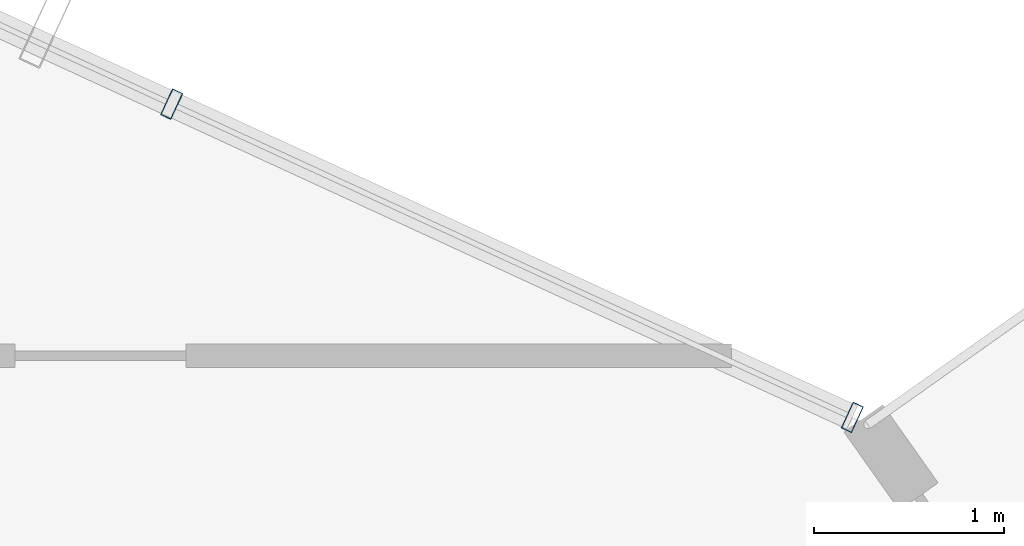
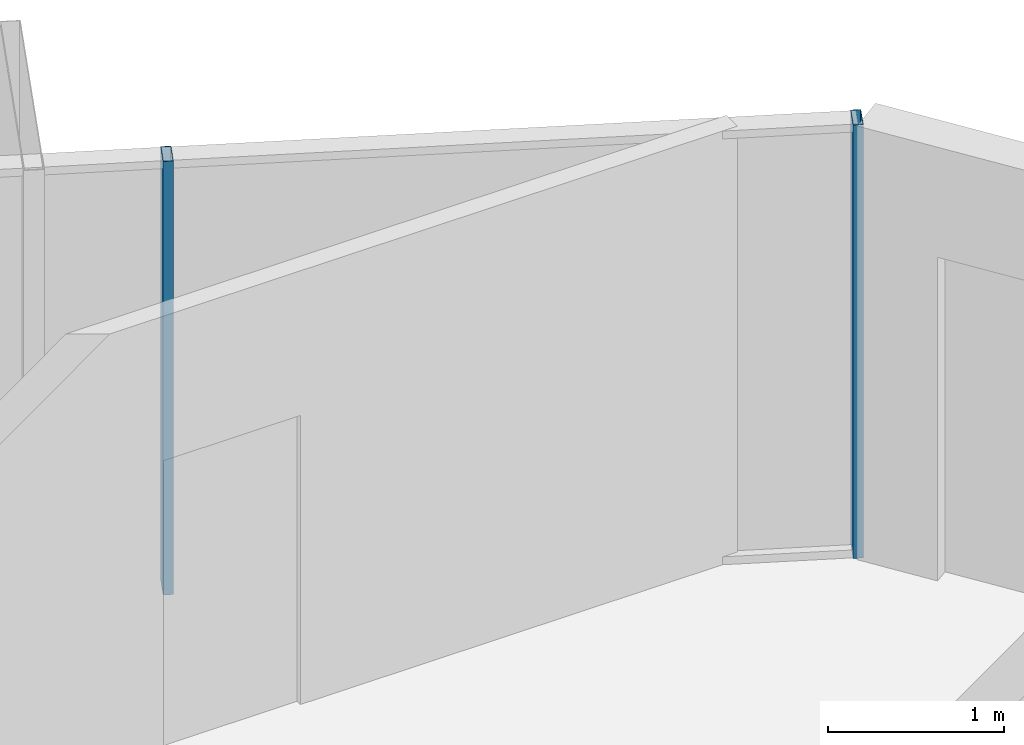
# One storey, part 26 of 32: 2 members, 1 element without a shape of its own.
"""IFC4 building model written with IfcOpenShell, lengths in metres."""

from ifc_helpers import new_model, si_unit, direction, frame, origin, origin_2d, place, context, subcontext, project, spatial, hollow_rectangle, extrude, source, transform, mapped, material, layer, layer_set, material_profile, profile_set, type_object, element, aggregate, save


model = new_model("IFC4")

# Units and contexts
model_context = context("Model", 3, precision=1e-05, world=origin(), true_north=direction((0.0, 1.0)))
body_context = subcontext(model_context, "Body", "Model", "MODEL_VIEW")
ifc_project = project(units=[si_unit("LENGTHUNIT", "METRE"), si_unit("AREAUNIT", "SQUARE_METRE"), si_unit("VOLUMEUNIT", "CUBIC_METRE"), si_unit("PLANEANGLEUNIT", "RADIAN"), si_unit("MASSUNIT", "GRAM", prefix="KILO")], contexts=[model_context])

# Site, building, storey
site_placement = place(None, origin())
site = spatial("IfcSite", under=ifc_project, at=site_placement, CompositionType="ELEMENT")
building_placement = place(site_placement, origin())
building = spatial("IfcBuilding", under=site, at=building_placement, Name="Veraguas Prism Commons", CompositionType="ELEMENT")
storey_placement = place(building_placement, frame((0.0, 0.0, 188.60009765625)))
storey = spatial("IfcBuildingStorey", under=building, at=storey_placement, Name="L53", CompositionType="ELEMENT", Elevation=188.60009765625)

# Curtain wall, members
ifc_material = material(Name="Anodised aluminium EN AW-6063 T6", Category="aluminium")
ifc_layer = layer(ifc_material, 0.14990234375, Name="Unitised Flush Curtain Wall Zone 3", Category="aluminium")
ifc_layer_set = layer_set([ifc_layer], Name="Anodised aluminium EN AW-6063 T6")
curtain_wall_type = type_object("IfcCurtainWallType", Name="Unitised Flush Curtain Wall Zone 3", PredefinedType="NOTDEFINED", material=ifc_layer_set)
curtain_wall_placement = place(storey_placement, origin())
curtain_wall = element("IfcCurtainWall", 1, at=curtain_wall_placement, inside=storey, type_object=curtain_wall_type, Name="Tower Facade Curtain Wall L53-F1", PredefinedType="NOTDEFINED")
ifc_material_profile = material_profile(ifc_material, hollow_rectangle(XDim=0.06005859375, YDim=0.14990234375, WallThickness=0.0029296875, at=origin_2d()), Name="AL60X150X3")
ifc_profile_set = profile_set([ifc_material_profile], Name="Anodised aluminium EN AW-6063 T6")
member_type = type_object("IfcMemberType", Name="Curtain Wall Mullion Upper AL 60x150x3", PredefinedType="MULLION", material=ifc_profile_set)
shared_shape = source(origin(), body_context, "Body", "SweptSolid", [
    extrude(hollow_rectangle(XDim=0.06005859375, YDim=0.14990234375, WallThickness=0.0029296875, at=origin_2d()), origin(), (0.0, 0.0, 1.0), 3.014892578125),
])
member_1_placement = place(storey_placement, frame((38.6015625, 36.774658203125, 0.0), z_axis=(0.0, 0.0, 1.0), x_axis=(-0.908361529184, 0.418185762907, 0.0)))
member_1 = element("IfcMember", 2, at=member_1_placement, type_object=member_type, Name="CW-Z3 Mullion 1", PredefinedType="MULLION", context=body_context, shape_type="MappedRepresentation", body=[
    mapped(shared_shape, transform((0.0, 0.0, 0.0), scale=1.0)),
])
member_2_placement = place(storey_placement, frame((35.017333984375, 38.4248046875, 0.0), z_axis=(0.0, 0.0, 1.0), x_axis=(-0.908361529184, 0.418185762907, 0.0)))
member_2 = element("IfcMember", 3, at=member_2_placement, type_object=member_type, Name="CW-Z3 Mullion 2", PredefinedType="MULLION", context=body_context, shape_type="MappedRepresentation", body=[
    mapped(shared_shape, transform((0.0, 0.0, 0.0), scale=1.0)),
])
aggregate(curtain_wall, [member_1, member_2])

save(model, "model.ifc")
